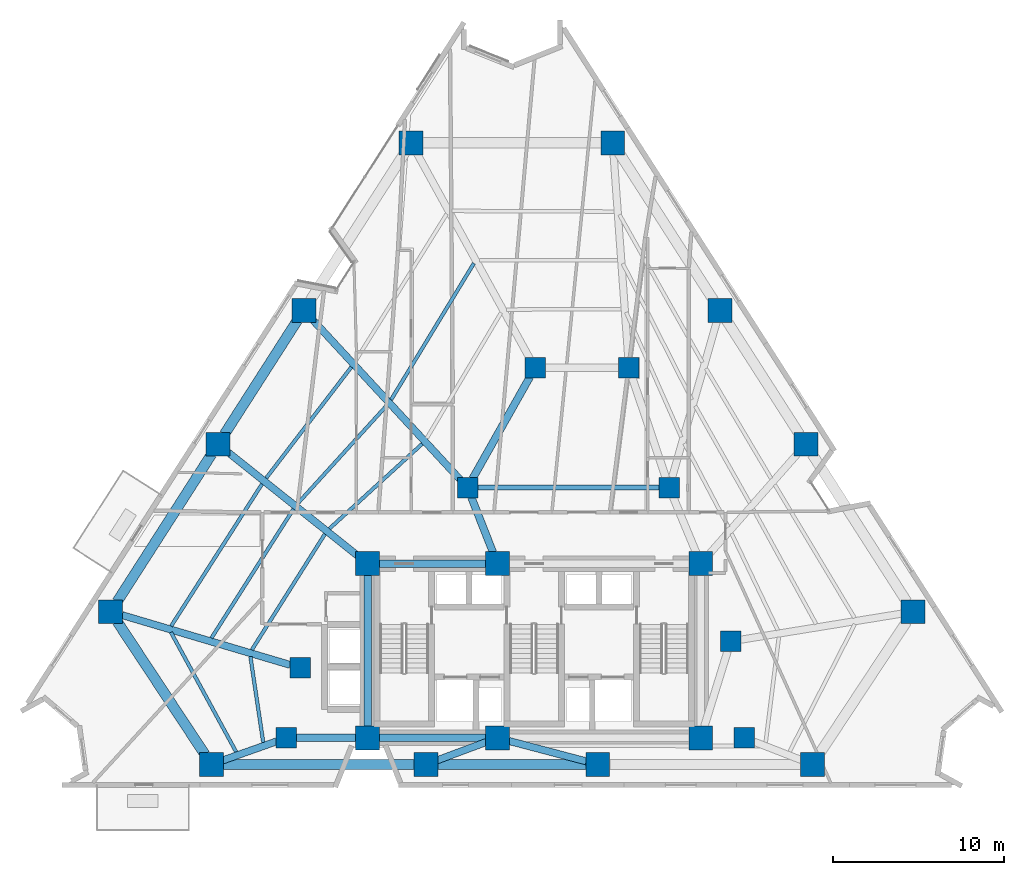
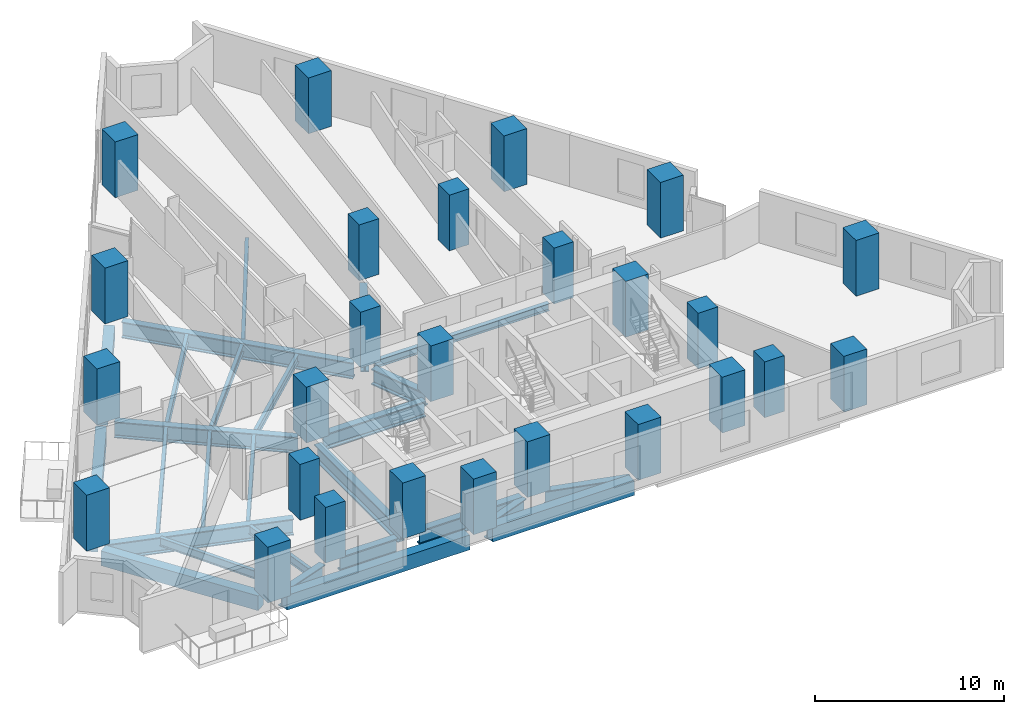
# One storey, part 1 of 14: 27 beams, 26 columns.
"""IFC4 building model written with IfcOpenShell, lengths in metres."""

from ifc_helpers import new_model, si_unit, direction, frame, origin, origin_2d, place, context, subcontext, project, spatial, rectangle, i_section, extrude, material, material_profile, profile_set, type_object, element, save


model = new_model("IFC4")

# Units and contexts
model_context = context("Model", 3, precision=1e-05, world=origin(), true_north=direction((0.0, 1.0)))
body_context = subcontext(model_context, "Body", "Model", "MODEL_VIEW")
ifc_project = project(units=[si_unit("LENGTHUNIT", "METRE"), si_unit("AREAUNIT", "SQUARE_METRE"), si_unit("VOLUMEUNIT", "CUBIC_METRE"), si_unit("PLANEANGLEUNIT", "RADIAN"), si_unit("MASSUNIT", "GRAM", prefix="KILO")], contexts=[model_context])

# Site, building, storey
site_placement = place(None, origin())
site = spatial("IfcSite", under=ifc_project, at=site_placement, CompositionType="ELEMENT")
building_placement = place(site_placement, origin())
building = spatial("IfcBuilding", under=site, at=building_placement, Name="Almagre Mirador Tower", CompositionType="ELEMENT")
storey_placement = place(building_placement, frame((0.0, 0.0, 46.199951171875)))
storey = spatial("IfcBuildingStorey", under=building, at=storey_placement, Name="L10", CompositionType="ELEMENT", Elevation=46.199951171875)

# Columns
ifc_material_1 = material(Name="Concrete C60/75", Category="concrete")
ifc_material_profile_1 = material_profile(ifc_material_1, rectangle(XDim=1.199951171875, YDim=1.199951171875, at=origin_2d()), Name="RC1200X1200")
ifc_profile_set_1 = profile_set([ifc_material_profile_1], Name="Concrete C60/75")
column_type_1 = type_object("IfcColumnType", Name="COL-RC1200", PredefinedType="COLUMN", material=ifc_profile_set_1)
for number, where, z_axis, x_axis, name in (
    (1, (22.800048828125, 4.550048828125, 0.0), (0.0, 0.0, 1.0), (1.0, 0.0, 0.0), "L10 interior transfer column MC1"),
    (2, (49.60009765625, 4.550048828125, 0.0), (0.0, 0.0, 1.0), (1.0, 0.0, 0.0), "L10 interior transfer column MC2"),
    (3, (48.800048828125, 10.199951171875, 0.0), (0.0, 0.0, 1.0), (1.0, 0.0, 0.0), "L10 interior transfer column MC3"),
    (4, (45.199951171875, 19.199951171875, 0.0), (0.0, 0.0, 1.0), (1.0, 0.0, 0.0), "L10 interior transfer column MC5"),
    (5, (42.85009765625, 26.199951171875, 0.0), (0.0, 0.0, 1.0), (1.0, 0.0, 0.0), "L10 interior transfer column MC6"),
    (6, (37.35009765625, 26.199951171875, 0.0), (0.0, 0.0, 1.0), (1.0, 0.0, 0.0), "L10 interior transfer column MC7"),
    (7, (33.39990234375, 19.199951171875, 0.0), (0.0, 0.0, 1.0), (1.0, 0.0, 0.0), "L10 interior transfer column MC8"),
    (8, (23.60009765625, 8.64990234375, 0.0), (0.0, 0.0, 1.0), (1.0, 0.0, 0.0), "L10 interior transfer column MC10"),
):
    element("IfcColumn", number, at=place(storey_placement, frame(where, z_axis=z_axis, x_axis=x_axis)), inside=storey, type_object=column_type_1, Name=name, PredefinedType="COLUMN", context=body_context, shape_type="SweptSolid", body=[
        extrude(rectangle(XDim=1.199951171875, YDim=1.199951171875, at=origin_2d()), origin(), (0.0, 0.0, 1.0), 3.60009765625),
    ])
ifc_material_2 = material(Name="Concrete C60/75", Category="concrete")
ifc_material_profile_2 = material_profile(ifc_material_2, rectangle(XDim=1.39990234375, YDim=1.39990234375, at=origin_2d()), Name="RC1400X1400")
ifc_profile_set_2 = profile_set([ifc_material_profile_2], Name="Concrete C60/75")
column_type_2 = type_object("IfcColumnType", Name="COL-RC1400", PredefinedType="COLUMN", material=ifc_profile_set_2)
for number, where, z_axis, x_axis, name in (
    (9, (27.550048828125, 4.550048828125, 0.0), (0.0, 0.0, 1.0), (1.0, 0.0, 0.0), "L10 core spine column CC1"),
    (10, (35.14990234375, 4.550048828125, 0.0), (0.0, 0.0, 1.0), (1.0, 0.0, 0.0), "L10 core spine column CC2"),
    (11, (47.050048828125, 4.550048828125, 0.0), (0.0, 0.0, 1.0), (1.0, 0.0, 0.0), "L10 core spine column CC3"),
    (12, (27.550048828125, 14.75, 0.0), (0.0, 0.0, 1.0), (1.0, 0.0, 0.0), "L10 core spine column CC4"),
    (13, (35.14990234375, 14.75, 0.0), (0.0, 0.0, 1.0), (1.0, 0.0, 0.0), "L10 core spine column CC5"),
    (14, (47.050048828125, 14.75, 0.0), (0.0, 0.0, 1.0), (1.0, 0.0, 0.0), "L10 core spine column CC6"),
    (15, (18.416015625, 3.0, 0.0), (0.0, 0.0, 1.0), (1.0, 0.0, 0.0), "L10 perimeter column PC01"),
    (16, (30.97607421875, 3.0, 0.0), (0.0, 0.0, 1.0), (1.0, 0.0, 0.0), "L10 perimeter column PC02"),
    (17, (41.02392578125, 3.0, 0.0), (0.0, 0.0, 1.0), (1.0, 0.0, 0.0), "L10 perimeter column PC03"),
    (18, (53.583984375, 3.0, 0.0), (0.0, 0.0, 1.0), (1.0, 0.0, 0.0), "L10 perimeter column PC04"),
    (19, (59.48193359375, 11.93310546875, 0.0), (0.0, 0.0, 1.0), (1.0, 0.0, 0.0), "L10 perimeter column PC05"),
    (20, (53.201904296875, 21.73291015625, 0.0), (0.0, 0.0, 1.0), (1.0, 0.0, 0.0), "L10 perimeter column PC06"),
    (21, (48.177978515625, 29.572998046875, 0.0), (0.0, 0.0, 1.0), (1.0, 0.0, 0.0), "L10 perimeter column PC07"),
    (22, (41.89794921875, 39.373046875, 0.0), (0.0, 0.0, 1.0), (1.0, 0.0, 0.0), "L10 perimeter column PC08"),
    (23, (30.10205078125, 39.373046875, 0.0), (0.0, 0.0, 1.0), (1.0, 0.0, 0.0), "L10 perimeter column PC09"),
    (24, (23.822021484375, 29.572998046875, 0.0), (0.0, 0.0, 1.0), (1.0, 0.0, 0.0), "L10 perimeter column PC10"),
    (25, (18.798095703125, 21.73291015625, 0.0), (0.0, 0.0, 1.0), (1.0, 0.0, 0.0), "L10 perimeter column PC11"),
    (26, (12.51806640625, 11.93310546875, 0.0), (0.0, 0.0, 1.0), (1.0, 0.0, 0.0), "L10 perimeter column PC12"),
):
    element("IfcColumn", number, at=place(storey_placement, frame(where, z_axis=z_axis, x_axis=x_axis)), inside=storey, type_object=column_type_2, Name=name, PredefinedType="COLUMN", context=body_context, shape_type="SweptSolid", body=[
        extrude(rectangle(XDim=1.39990234375, YDim=1.39990234375, at=origin_2d()), origin(), (0.0, 0.0, 1.0), 3.60009765625),
    ])

# Beams
ifc_material_3 = material(Name="Steel ASTM A992 Grade 50", Category="steel")
ifc_material_profile_3 = material_profile(ifc_material_3, i_section(OverallWidth=0.281982421875, OverallDepth=0.467041015625, WebThickness=0.01220703125, FlangeThickness=0.01953125, FilletRadius=0.01611328125, at=origin_2d()), Name="W18X86")
ifc_profile_set_3 = profile_set([ifc_material_profile_3], Name="Steel ASTM A992 Grade 50")
beam_type_1 = type_object("IfcBeamType", Name="BM-BAL-W18X86", PredefinedType="JOIST", material=ifc_profile_set_3)
beam_1_placement = place(storey_placement, frame((34.0, 19.199951171875, -0.4833984375), z_axis=(1.0, 0.0, 0.0), x_axis=(0.0, 1.0, 0.0)))
element("IfcBeam", 27, at=beam_1_placement, inside=storey, type_object=beam_type_1, Name="L10 secondary header beam BB-01", PredefinedType="JOIST", context=body_context, shape_type="SweptSolid", body=[
    extrude(i_section(OverallWidth=0.281982421875, OverallDepth=0.467041015625, WebThickness=0.01220703125, FlangeThickness=0.01953125, FilletRadius=0.01611328125, at=origin_2d()), origin(), (0.0, 0.0, 1.0), 10.60009765625),
])
ifc_material_4 = material(Name="Steel ASTM A992 Grade 50", Category="steel")
ifc_material_profile_4 = material_profile(ifc_material_4, i_section(OverallWidth=0.208984375, OverallDepth=0.532958984375, WebThickness=0.01025390625, FlangeThickness=0.015625, FilletRadius=0.01806640625, at=origin_2d()), Name="W21X62")
ifc_profile_set_4 = profile_set([ifc_material_profile_4], Name="Steel ASTM A992 Grade 50")
beam_type_2 = type_object("IfcBeamType", Name="BM-JST-W21X62", PredefinedType="JOIST", material=ifc_profile_set_4)
beam_2_placement = place(storey_placement, frame((33.773681640625, 32.322998046875, -0.516357421875), z_axis=(-0.518956302824, -0.854800769629, 0.0), x_axis=(0.854800769629, -0.518956302824, 0.0)))
element("IfcBeam", 28, at=beam_2_placement, inside=storey, type_object=beam_type_2, Name="L10 secondary floor joist PC09-PC10.2", PredefinedType="JOIST", context=body_context, shape_type="SweptSolid", body=[
    extrude(i_section(OverallWidth=0.208984375, OverallDepth=0.532958984375, WebThickness=0.01025390625, FlangeThickness=0.015625, FilletRadius=0.01806640625, at=origin_2d()), origin(), (0.0, 0.0, 1.0), 9.33837890625),
])
beam_3_placement = place(storey_placement, frame((26.604248046875, 26.25537109375, -0.516357421875), z_axis=(-0.60855411007, -0.793512378679, 0.0), x_axis=(0.793512378679, -0.60855411007, 0.0)))
element("IfcBeam", 29, at=beam_3_placement, inside=storey, type_object=beam_type_2, Name="L10 secondary floor joist PC10-PC11.1", PredefinedType="JOIST", context=body_context, shape_type="SweptSolid", body=[
    extrude(i_section(OverallWidth=0.208984375, OverallDepth=0.532958984375, WebThickness=0.01025390625, FlangeThickness=0.015625, FilletRadius=0.01806640625, at=origin_2d()), origin(), (0.0, 0.0, 1.0), 8.19580078125),
])
beam_4_placement = place(storey_placement, frame((28.677978515625, 24.00634765625, -0.516357421875), z_axis=(-0.672610039323, -0.739997118239, 0.0), x_axis=(0.739997118239, -0.672610039323, 0.0)))
element("IfcBeam", 30, at=beam_4_placement, inside=storey, type_object=beam_type_2, Name="L10 secondary floor joist PC10-PC11.2", PredefinedType="JOIST", context=body_context, shape_type="SweptSolid", body=[
    extrude(i_section(OverallWidth=0.208984375, OverallDepth=0.532958984375, WebThickness=0.01025390625, FlangeThickness=0.015625, FilletRadius=0.01806640625, at=origin_2d()), origin(), (0.0, 0.0, 1.0), 7.745849609375),
])
beam_5_placement = place(storey_placement, frame((30.751220703125, 21.759765625, -0.516357421875), z_axis=(-0.73806232468, -0.674732543225, 0.0), x_axis=(0.674732543225, -0.73806232468, 0.0)))
element("IfcBeam", 31, at=beam_5_placement, inside=storey, type_object=beam_type_2, Name="L10 secondary floor joist PC10-PC11.3", PredefinedType="JOIST", context=body_context, shape_type="SweptSolid", body=[
    extrude(i_section(OverallWidth=0.208984375, OverallDepth=0.532958984375, WebThickness=0.01025390625, FlangeThickness=0.015625, FilletRadius=0.01806640625, at=origin_2d()), origin(), (0.0, 0.0, 1.0), 7.359375),
])
beam_6_placement = place(storey_placement, frame((21.37646484375, 19.4091796875, -0.516357421875), z_axis=(-0.538986317029, -0.842314519675, 0.0), x_axis=(0.842314519675, -0.538986317029, 0.0)))
element("IfcBeam", 32, at=beam_6_placement, inside=storey, type_object=beam_type_2, Name="L10 secondary floor joist PC11-PC12.1", PredefinedType="JOIST", context=body_context, shape_type="SweptSolid", body=[
    extrude(i_section(OverallWidth=0.208984375, OverallDepth=0.532958984375, WebThickness=0.01025390625, FlangeThickness=0.015625, FilletRadius=0.01806640625, at=origin_2d()), origin(), (0.0, 0.0, 1.0), 9.870849609375),
])
beam_7_placement = place(storey_placement, frame((23.214599609375, 17.9423828125, -0.516357421875), z_axis=(-0.536571630026, -0.843854777702, 0.0), x_axis=(0.843854777702, -0.536571630026, 0.0)))
element("IfcBeam", 33, at=beam_7_placement, inside=storey, type_object=beam_type_2, Name="L10 secondary floor joist PC11-PC12.2", PredefinedType="JOIST", context=body_context, shape_type="SweptSolid", body=[
    extrude(i_section(OverallWidth=0.208984375, OverallDepth=0.532958984375, WebThickness=0.01025390625, FlangeThickness=0.015625, FilletRadius=0.01806640625, at=origin_2d()), origin(), (0.0, 0.0, 1.0), 8.943115234375),
])
beam_8_placement = place(storey_placement, frame((25.05322265625, 16.475830078125, -0.516357421875), z_axis=(-0.533635401408, -0.845714643579, 0.0), x_axis=(0.845714643579, -0.533635401408, 0.0)))
element("IfcBeam", 34, at=beam_8_placement, inside=storey, type_object=beam_type_2, Name="L10 secondary floor joist PC11-PC12.3", PredefinedType="JOIST", context=body_context, shape_type="SweptSolid", body=[
    extrude(i_section(OverallWidth=0.208984375, OverallDepth=0.532958984375, WebThickness=0.01025390625, FlangeThickness=0.015625, FilletRadius=0.01806640625, at=origin_2d()), origin(), (0.0, 0.0, 1.0), 8.015380859375),
])
beam_9_placement = place(storey_placement, frame((16.04345703125, 10.734375, -0.516357421875), z_axis=(0.478472525454, -0.878102523846, 0.0), x_axis=(0.878102523846, 0.478472525454, 0.0)))
element("IfcBeam", 35, at=beam_9_placement, inside=storey, type_object=beam_type_2, Name="L10 secondary floor joist PC12-PC01.1", PredefinedType="JOIST", context=body_context, shape_type="SweptSolid", body=[
    extrude(i_section(OverallWidth=0.208984375, OverallDepth=0.532958984375, WebThickness=0.01025390625, FlangeThickness=0.015625, FilletRadius=0.01806640625, at=origin_2d()), origin(), (0.0, 0.0, 1.0), 7.976806640625),
])
beam_10_placement = place(storey_placement, frame((20.695068359375, 9.3125, -0.516357421875), z_axis=(0.147717518236, -0.989029592483, 0.0), x_axis=(0.989029592483, 0.147717518236, 0.0)))
element("IfcBeam", 36, at=beam_10_placement, inside=storey, type_object=beam_type_2, Name="L10 secondary floor joist PC12-PC01.3", PredefinedType="JOIST", context=body_context, shape_type="SweptSolid", body=[
    extrude(i_section(OverallWidth=0.208984375, OverallDepth=0.532958984375, WebThickness=0.01025390625, FlangeThickness=0.015625, FilletRadius=0.01806640625, at=origin_2d()), origin(), (0.0, 0.0, 1.0), 5.078857421875),
])
ifc_material_5 = material(Name="Precast concrete C50/60", Category="concrete")
ifc_material_profile_5 = material_profile(ifc_material_5, rectangle(XDim=0.60009765625, YDim=0.949951171875, at=origin_2d()), Name="RC600X950")
ifc_profile_set_5 = profile_set([ifc_material_profile_5], Name="Precast concrete C50/60")
beam_type_3 = type_object("IfcBeamType", Name="BM-SPN-RC600X950", PredefinedType="SPANDREL", material=ifc_profile_set_5)
beam_11_placement = place(storey_placement, frame((19.115966796875, 3.0, -0.724853515625), z_axis=(1.0, 0.0, 0.0), x_axis=(0.0, 1.0, 0.0)))
element("IfcBeam", 37, at=beam_11_placement, inside=storey, type_object=beam_type_3, Name="L10 perimeter spandrel beam PC01-PC02", PredefinedType="SPANDREL", context=body_context, shape_type="SweptSolid", body=[
    extrude(rectangle(XDim=0.60009765625, YDim=0.949951171875, at=origin_2d()), origin(), (0.0, 0.0, 1.0), 11.159912109375),
])
beam_12_placement = place(storey_placement, frame((31.676025390625, 3.0, -0.724853515625), z_axis=(1.0, 0.0, 0.0), x_axis=(0.0, 1.0, 0.0)))
element("IfcBeam", 38, at=beam_12_placement, inside=storey, type_object=beam_type_3, Name="L10 perimeter spandrel beam PC02-PC03", PredefinedType="SPANDREL", context=body_context, shape_type="SweptSolid", body=[
    extrude(rectangle(XDim=0.60009765625, YDim=0.949951171875, at=origin_2d()), origin(), (0.0, 0.0, 1.0), 8.64794921875),
])
beam_13_placement = place(storey_placement, frame((23.4443359375, 28.983642578125, -0.724853515625), z_axis=(-0.539540486584, -0.841959656597, 0.0), x_axis=(0.841959656597, -0.539540486584, 0.0)))
element("IfcBeam", 39, at=beam_13_placement, inside=storey, type_object=beam_type_3, Name="L10 perimeter spandrel beam PC10-PC11", PredefinedType="SPANDREL", context=body_context, shape_type="SweptSolid", body=[
    extrude(rectangle(XDim=0.60009765625, YDim=0.949951171875, at=origin_2d()), origin(), (0.0, 0.0, 1.0), 7.911376953125),
])
beam_14_placement = place(storey_placement, frame((18.42041015625, 21.1435546875, -0.724853515625), z_axis=(-0.539549548581, -0.841953849463, 0.0), x_axis=(0.841953849463, -0.539549548581, 0.0)))
element("IfcBeam", 40, at=beam_14_placement, inside=storey, type_object=beam_type_3, Name="L10 perimeter spandrel beam PC11-PC12", PredefinedType="SPANDREL", context=body_context, shape_type="SweptSolid", body=[
    extrude(rectangle(XDim=0.60009765625, YDim=0.949951171875, at=origin_2d()), origin(), (0.0, 0.0, 1.0), 10.239501953125),
])
beam_15_placement = place(storey_placement, frame((12.90380859375, 11.348876953125, -0.724853515625), z_axis=(0.550976725149, -0.834520609898, 0.0), x_axis=(0.834520609898, 0.550976725149, 0.0)))
element("IfcBeam", 41, at=beam_15_placement, inside=storey, type_object=beam_type_3, Name="L10 perimeter spandrel beam PC12-PC01", PredefinedType="SPANDREL", context=body_context, shape_type="SweptSolid", body=[
    extrude(rectangle(XDim=0.60009765625, YDim=0.949951171875, at=origin_2d()), origin(), (0.0, 0.0, 1.0), 9.304443359375),
])
ifc_material_6 = material(Name="Steel ASTM A992 Grade 50", Category="steel")
ifc_material_profile_6 = material_profile(ifc_material_6, i_section(OverallWidth=0.43701171875, OverallDepth=1.010986328125, WebThickness=0.041015625, FlangeThickness=0.073974609375, FilletRadius=0.028076171875, at=origin_2d()), Name="W36X529")
ifc_profile_set_6 = profile_set([ifc_material_profile_6], Name="Steel ASTM A992 Grade 50")
beam_type_4 = type_object("IfcBeamType", Name="BM-STL-W36X529", PredefinedType="BEAM", material=ifc_profile_set_6)
for number, where, z_axis, x_axis, name in (
    (42, (28.25, 4.550048828125, -0.75537109375), (1.0, 0.0, 0.0), (0.0, 1.0, 0.0), "L10 core tie girder CC1-CC2"),
    (43, (28.25, 14.75, -0.75537109375), (1.0, 0.0, 0.0), (0.0, 1.0, 0.0), "L10 core tie girder CC4-CC5"),
):
    element("IfcBeam", number, at=place(storey_placement, frame(where, z_axis=z_axis, x_axis=x_axis)), inside=storey, type_object=beam_type_4, Name=name, PredefinedType="BEAM", context=body_context, shape_type="SweptSolid", body=[
        extrude(i_section(OverallWidth=0.43701171875, OverallDepth=1.010986328125, WebThickness=0.041015625, FlangeThickness=0.073974609375, FilletRadius=0.028076171875, at=origin_2d()), origin(), (0.0, 0.0, 1.0), 6.199951171875),
    ])
beam_16_placement = place(storey_placement, frame((27.550048828125, 5.25, -0.75537109375), z_axis=(0.0, 1.0, 0.0), x_axis=(-1.0, 0.0, 0.0)))
element("IfcBeam", 44, at=beam_16_placement, inside=storey, type_object=beam_type_4, Name="L10 core tie girder CC1-CC4", PredefinedType="BEAM", context=body_context, shape_type="SweptSolid", body=[
    extrude(i_section(OverallWidth=0.43701171875, OverallDepth=1.010986328125, WebThickness=0.041015625, FlangeThickness=0.073974609375, FilletRadius=0.028076171875, at=origin_2d()), origin(), (0.0, 0.0, 1.0), 8.800048828125),
])
beam_17_placement = place(storey_placement, frame((23.39990234375, 4.550048828125, -0.75537109375), z_axis=(1.0, 0.0, 0.0), x_axis=(0.0, 1.0, 0.0)))
element("IfcBeam", 45, at=beam_17_placement, inside=storey, type_object=beam_type_4, Name="L10 core tie girder MC1-CC1", PredefinedType="BEAM", context=body_context, shape_type="SweptSolid", body=[
    extrude(i_section(OverallWidth=0.43701171875, OverallDepth=1.010986328125, WebThickness=0.041015625, FlangeThickness=0.073974609375, FilletRadius=0.028076171875, at=origin_2d()), origin(), (0.0, 0.0, 1.0), 3.4501953125),
])
beam_18_placement = place(storey_placement, frame((37.05517578125, 25.677490234375, -0.75537109375), z_axis=(-0.491440637516, -0.870911074564, 0.0), x_axis=(0.870911074564, -0.491440637516, 0.0)))
element("IfcBeam", 46, at=beam_18_placement, inside=storey, type_object=beam_type_4, Name="L10 core tie girder MC7-MC8", PredefinedType="BEAM", context=body_context, shape_type="SweptSolid", body=[
    extrude(i_section(OverallWidth=0.43701171875, OverallDepth=1.010986328125, WebThickness=0.041015625, FlangeThickness=0.073974609375, FilletRadius=0.028076171875, at=origin_2d()), origin(), (0.0, 0.0, 1.0), 6.837646484375),
])
beam_19_placement = place(storey_placement, frame((33.61962890625, 18.6416015625, -0.75537109375), z_axis=(0.365956076985, -0.93063212373, 0.0), x_axis=(0.93063212373, 0.365956076985, 0.0)))
element("IfcBeam", 47, at=beam_19_placement, inside=storey, type_object=beam_type_4, Name="L10 core tie girder MC8-CC5", PredefinedType="BEAM", context=body_context, shape_type="SweptSolid", body=[
    extrude(i_section(OverallWidth=0.43701171875, OverallDepth=1.010986328125, WebThickness=0.041015625, FlangeThickness=0.073974609375, FilletRadius=0.028076171875, at=origin_2d()), origin(), (0.0, 0.0, 1.0), 3.481689453125),
])
ifc_material_7 = material(Name="Steel ASTM A913 Grade 65", Category="steel")
ifc_material_profile_7 = material_profile(ifc_material_7, i_section(OverallWidth=0.4189453125, OverallDepth=1.041015625, WebThickness=0.031005859375, FlangeThickness=0.055908203125, FilletRadius=0.030029296875, at=origin_2d()), Name="W40X397")
ifc_profile_set_7 = profile_set([ifc_material_profile_7], Name="Steel ASTM A913 Grade 65")
beam_type_5 = type_object("IfcBeamType", Name="BM-STL-W40X397", PredefinedType="BEAM", material=ifc_profile_set_7)
beam_20_placement = place(storey_placement, frame((19.075927734375, 3.2333984375, -0.7705078125), z_axis=(0.942807214234, 0.333338501809, 0.0), x_axis=(-0.333338501809, 0.942807214234, 0.0)))
element("IfcBeam", 48, at=beam_20_placement, inside=storey, type_object=beam_type_5, Name="L10 radial floor girder PC01-MC1", PredefinedType="BEAM", context=body_context, shape_type="SweptSolid", body=[
    extrude(i_section(OverallWidth=0.4189453125, OverallDepth=1.041015625, WebThickness=0.031005859375, FlangeThickness=0.055908203125, FilletRadius=0.030029296875, at=origin_2d()), origin(), (0.0, 0.0, 1.0), 3.35009765625),
])
beam_21_placement = place(storey_placement, frame((31.632080078125, 3.24365234375, -0.7705078125), z_axis=(0.937448389948, 0.348124282669, 0.0), x_axis=(-0.348124282669, 0.937448389948, 0.0)))
element("IfcBeam", 49, at=beam_21_placement, inside=storey, type_object=beam_type_5, Name="L10 radial floor girder PC02-CC2", PredefinedType="BEAM", context=body_context, shape_type="SweptSolid", body=[
    extrude(i_section(OverallWidth=0.4189453125, OverallDepth=1.041015625, WebThickness=0.031005859375, FlangeThickness=0.055908203125, FilletRadius=0.030029296875, at=origin_2d()), origin(), (0.0, 0.0, 1.0), 3.052734375),
])
beam_22_placement = place(storey_placement, frame((40.34716796875, 3.1787109375, -0.7705078125), z_axis=(-0.966911988655, 0.255110184422, 0.0), x_axis=(-0.255110184422, -0.966911988655, 0.0)))
element("IfcBeam", 50, at=beam_22_placement, inside=storey, type_object=beam_type_5, Name="L10 radial floor girder PC03-CC2", PredefinedType="BEAM", context=body_context, shape_type="SweptSolid", body=[
    extrude(i_section(OverallWidth=0.4189453125, OverallDepth=1.041015625, WebThickness=0.031005859375, FlangeThickness=0.055908203125, FilletRadius=0.030029296875, at=origin_2d()), origin(), (0.0, 0.0, 1.0), 4.675048828125),
])
beam_23_placement = place(storey_placement, frame((24.296875, 29.05859375, -0.7705078125), z_axis=(0.678396377754, -0.734696096798, 0.0), x_axis=(0.734696096798, 0.678396377754, 0.0)))
element("IfcBeam", 51, at=beam_23_placement, inside=storey, type_object=beam_type_5, Name="L10 radial floor girder PC10-MC8", PredefinedType="BEAM", context=body_context, shape_type="SweptSolid", body=[
    extrude(i_section(OverallWidth=0.4189453125, OverallDepth=1.041015625, WebThickness=0.031005859375, FlangeThickness=0.055908203125, FilletRadius=0.030029296875, at=origin_2d()), origin(), (0.0, 0.0, 1.0), 12.818603515625),
])
beam_24_placement = place(storey_placement, frame((19.34521484375, 21.29638671875, -0.7705078125), z_axis=(0.78167052396, -0.623691584015, 0.0), x_axis=(0.623691584015, 0.78167052396, 0.0)))
element("IfcBeam", 52, at=beam_24_placement, inside=storey, type_object=beam_type_5, Name="L10 radial floor girder PC11-CC4", PredefinedType="BEAM", context=body_context, shape_type="SweptSolid", body=[
    extrude(i_section(OverallWidth=0.4189453125, OverallDepth=1.041015625, WebThickness=0.031005859375, FlangeThickness=0.055908203125, FilletRadius=0.030029296875, at=origin_2d()), origin(), (0.0, 0.0, 1.0), 9.79638671875),
])
beam_25_placement = place(storey_placement, frame((13.189208984375, 11.734130859375, -0.7705078125), z_axis=(0.958808436431, -0.284053484804, 0.0), x_axis=(0.284053484804, 0.958808436431, 0.0)))
element("IfcBeam", 53, at=beam_25_placement, inside=storey, type_object=beam_type_5, Name="L10 radial floor girder PC12-MC10", PredefinedType="BEAM", context=body_context, shape_type="SweptSolid", body=[
    extrude(i_section(OverallWidth=0.4189453125, OverallDepth=1.041015625, WebThickness=0.031005859375, FlangeThickness=0.055908203125, FilletRadius=0.030029296875, at=origin_2d()), origin(), (0.0, 0.0, 1.0), 10.258056640625),
])

save(model, "model.ifc")
